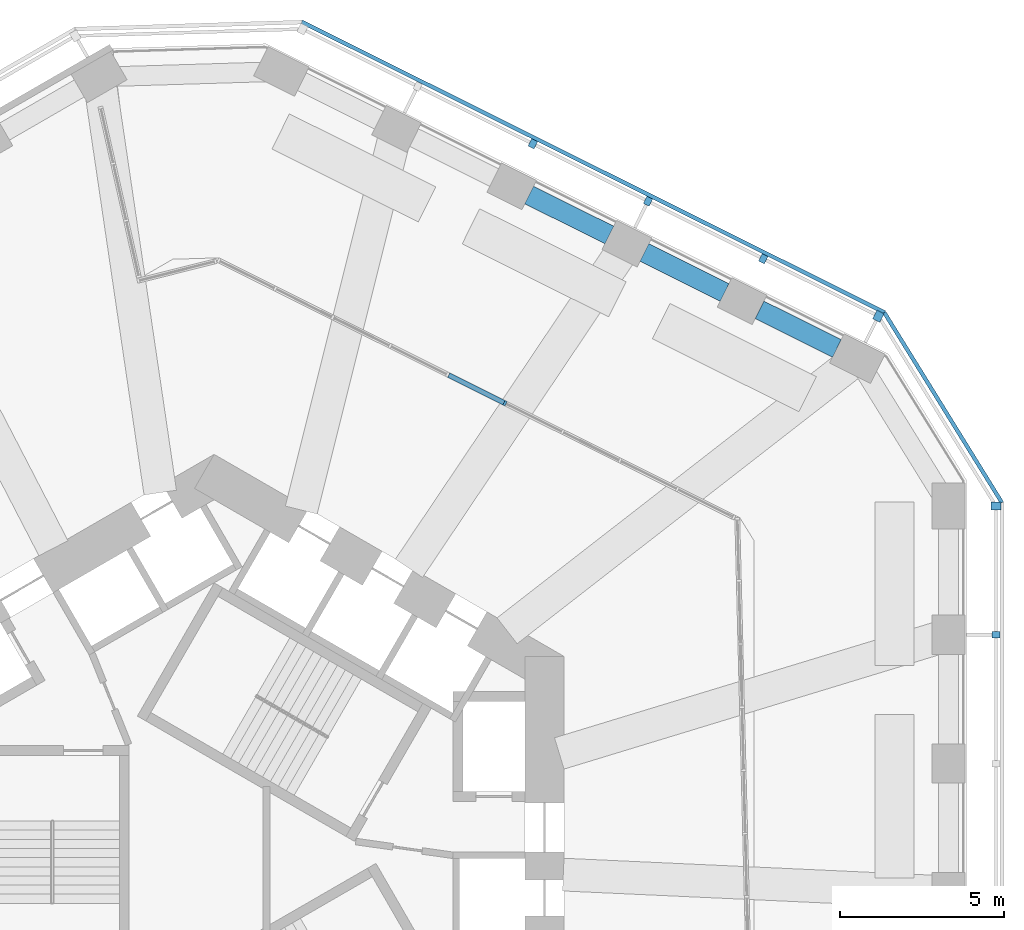
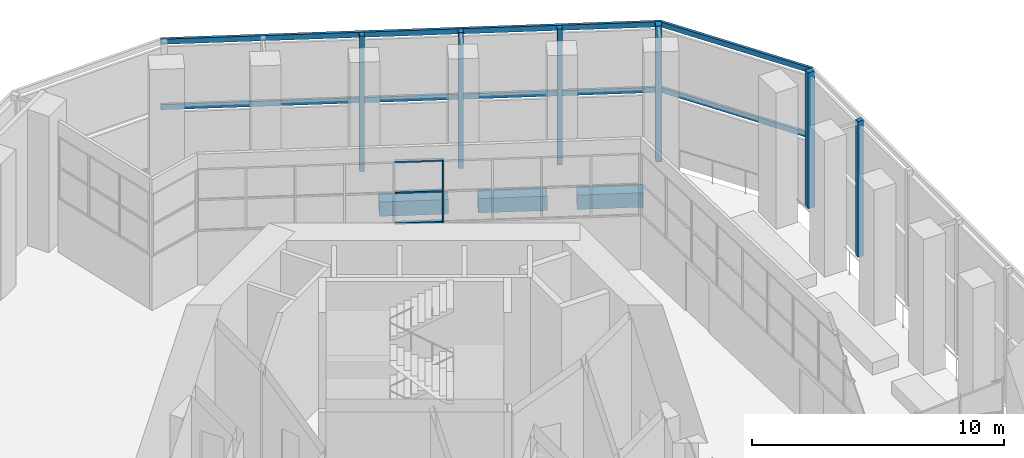
# One storey, part 5 of 17: 14 members, 3 beams, 4 elements without a shape of their own.
"""IFC4 building model written with IfcOpenShell, lengths in metres."""

from ifc_helpers import new_model, si_unit, direction, frame, origin, origin_2d, place, context, subcontext, project, spatial, rectangle, extrude, material, material_profile, profile_set, type_object, element, aggregate, save


model = new_model("IFC4")

# Units and contexts
model_context = context("Model", 3, precision=1e-05, world=origin(), true_north=direction((0.0, 1.0)))
body_context = subcontext(model_context, "Body", "Model", "MODEL_VIEW")
ifc_project = project(units=[si_unit("LENGTHUNIT", "METRE"), si_unit("AREAUNIT", "SQUARE_METRE"), si_unit("VOLUMEUNIT", "CUBIC_METRE"), si_unit("PLANEANGLEUNIT", "RADIAN"), si_unit("MASSUNIT", "GRAM", prefix="KILO")], contexts=[model_context])

# Site, building, storey
site_placement = place(None, origin())
site = spatial("IfcSite", under=ifc_project, at=site_placement, CompositionType="ELEMENT")
building_placement = place(site_placement, origin())
building = spatial("IfcBuilding", under=site, at=building_placement, Name="Vanh Sen Convention Tower", CompositionType="ELEMENT")
storey_placement = place(building_placement, frame((0.0, 0.0, 77.0)))
storey = spatial("IfcBuildingStorey", under=building, at=storey_placement, Name="L17", CompositionType="ELEMENT", Elevation=77.0)

# Curtain wall, members
ifc_material_1 = material(Name="Aluminium structural glazing system", Category="aluminium")
curtain_wall_type_1 = type_object("IfcCurtainWallType", Name="Sky garden structural glazing", PredefinedType="NOTDEFINED", material=ifc_material_1)
curtain_wall_1_placement = place(storey_placement, origin())
curtain_wall_1 = element("IfcCurtainWall", 1, at=curtain_wall_1_placement, inside=storey, type_object=curtain_wall_type_1, Name="Winter garden glazing 3 L17", PredefinedType="NOTDEFINED")
ifc_material_2 = material(Name="Aluminium mullion", Category="aluminium")
ifc_material_profile_1 = material_profile(ifc_material_2, rectangle(XDim=0.14990234375, YDim=0.070068359375, at=origin_2d()), Name="Garden glazing mullion 70 x 150")
ifc_profile_set_1 = profile_set([ifc_material_profile_1], Name="Aluminium mullion")
member_type_1 = type_object("IfcMemberType", Name="Garden glazing mullion 70 x 150", PredefinedType="MULLION", material=ifc_profile_set_1)
member_1_placement = place(storey_placement, frame((8.89208984375, 13.919921875, 2.60009765625), z_axis=(0.0, 0.0, 1.0), x_axis=(0.446203047714, 0.894931751706, 0.0)))
member_1 = element("IfcMember", 2, at=member_1_placement, type_object=member_type_1, Name="CW5 mullion 6", PredefinedType="MULLION", context=body_context, shape_type="SweptSolid", body=[
    extrude(rectangle(XDim=0.14990234375, YDim=0.070068359375, at=origin_2d()), origin(), (0.0, 0.0, 1.0), 3.0498046875),
])
ifc_material_3 = material(Name="Aluminium transom", Category="aluminium")
ifc_material_profile_2 = material_profile(ifc_material_3, rectangle(XDim=0.14990234375, YDim=0.070068359375, at=origin_2d()), Name="Garden glazing transom 150 x 70")
ifc_profile_set_2 = profile_set([ifc_material_profile_2], Name="Aluminium transom")
member_type_2 = type_object("IfcMemberType", Name="Garden glazing transom 150 x 70", PredefinedType="USERDEFINED", material=ifc_profile_set_2)
member_2_placement = place(storey_placement, frame((7.16748046875, 14.77978515625, 2.635009765625), z_axis=(0.894942709965, -0.446181068492, 0.0), x_axis=(0.446181068492, 0.894942709965, 0.0)))
member_2 = element("IfcMember", 3, at=member_2_placement, type_object=member_type_2, Name="CW5 transom 5.1", ObjectType="TRANSOM", PredefinedType="USERDEFINED", context=body_context, shape_type="SweptSolid", body=[
    extrude(rectangle(XDim=0.14990234375, YDim=0.070068359375, at=origin_2d()), origin(), (0.0, 0.0, 1.0), 1.89208984375),
])
member_3_placement = place(storey_placement, frame((7.16748046875, 14.77978515625, 4.125), z_axis=(0.894942709965, -0.446181068492, 0.0), x_axis=(0.446181068492, 0.894942709965, 0.0)))
member_3 = element("IfcMember", 4, at=member_3_placement, type_object=member_type_2, Name="CW5 transom 5.2", ObjectType="TRANSOM", PredefinedType="USERDEFINED", context=body_context, shape_type="SweptSolid", body=[
    extrude(rectangle(XDim=0.14990234375, YDim=0.070068359375, at=origin_2d()), origin(), (0.0, 0.0, 1.0), 1.89208984375),
])
member_4_placement = place(storey_placement, frame((7.16748046875, 14.77978515625, 5.614990234375), z_axis=(0.894942709965, -0.446181068492, 0.0), x_axis=(0.446181068492, 0.894942709965, 0.0)))
member_4 = element("IfcMember", 5, at=member_4_placement, type_object=member_type_2, Name="CW5 transom 5.3", ObjectType="TRANSOM", PredefinedType="USERDEFINED", context=body_context, shape_type="SweptSolid", body=[
    extrude(rectangle(XDim=0.14990234375, YDim=0.070068359375, at=origin_2d()), origin(), (0.0, 0.0, 1.0), 1.89208984375),
])
aggregate(curtain_wall_1, [member_1, member_2, member_3, member_4])

# Curtain wall, member
ifc_material_4 = material(Name="Concrete C50/60", Category="concrete")
curtain_wall_type_2 = type_object("IfcCurtainWallType", Name="Outer skin hotel zone", PredefinedType="NOTDEFINED", material=ifc_material_4)
curtain_wall_2_placement = place(storey_placement, origin())
curtain_wall_2 = element("IfcCurtainWall", 6, at=curtain_wall_2_placement, inside=storey, type_object=curtain_wall_type_2, Name="OUTER SKIN E L17", PredefinedType="NOTDEFINED")
ifc_material_profile_3 = material_profile(ifc_material_4, rectangle(XDim=0.25, YDim=0.300048828125, at=origin_2d()), Name="Outer skin precast corner fin 250 x 300")
ifc_profile_set_3 = profile_set([ifc_material_profile_3], Name="Concrete C50/60")
member_type_3 = type_object("IfcMemberType", Name="Outer skin precast corner fin 250 x 300", PredefinedType="MULLION", material=ifc_profile_set_3)
member_5_placement = place(storey_placement, frame((23.89990234375, 10.773681640625, 0.0), z_axis=(0.0, 0.0, 1.0), x_axis=(0.0, 1.0, 0.0)))
member_5 = element("IfcMember", 7, at=member_5_placement, type_object=member_type_3, Name="OUTER SKIN CORNER FIN 6 E L17", PredefinedType="MULLION", context=body_context, shape_type="SweptSolid", body=[
    extrude(rectangle(XDim=0.25, YDim=0.300048828125, at=origin_2d()), origin(), (0.0, 0.0, 1.0), 6.60009765625),
])

curtain_wall_3_placement = place(storey_placement, origin())
curtain_wall_3 = element("IfcCurtainWall", 8, at=curtain_wall_3_placement, inside=storey, type_object=curtain_wall_type_2, Name="OUTER SKIN NE L17", PredefinedType="NOTDEFINED")
member_6_placement = place(storey_placement, frame((20.305908203125, 16.581787109375, 0.0), z_axis=(0.0, 0.0, 1.0), x_axis=(-0.894934361602, 0.44619781311, 0.0)))
member_6 = element("IfcMember", 9, at=member_6_placement, type_object=member_type_3, Name="OUTER SKIN CORNER FIN 1 NE L17", PredefinedType="MULLION", context=body_context, shape_type="SweptSolid", body=[
    extrude(rectangle(XDim=0.25, YDim=0.300048828125, at=origin_2d()), origin(), (0.0, 0.0, 1.0), 6.60009765625),
])

# Member
ifc_material_profile_4 = material_profile(ifc_material_4, rectangle(XDim=0.199951171875, YDim=0.25, at=origin_2d()), Name="Outer skin precast fin 200 x 250")
ifc_profile_set_4 = profile_set([ifc_material_profile_4], Name="Concrete C50/60")
member_type_4 = type_object("IfcMemberType", Name="Outer skin precast fin 200 x 250", PredefinedType="MULLION", material=ifc_profile_set_4)
member_7_placement = place(storey_placement, frame((23.89990234375, 6.839111328125, 0.0), z_axis=(0.0, 0.0, 1.0), x_axis=(0.0, 1.0, 0.0)))
member_7 = element("IfcMember", 10, at=member_7_placement, type_object=member_type_4, Name="OUTER SKIN fin 5 E L17", PredefinedType="MULLION", context=body_context, shape_type="SweptSolid", body=[
    extrude(rectangle(XDim=0.199951171875, YDim=0.25, at=origin_2d()), origin(), (0.0, 0.0, 1.0), 6.60009765625),
])

aggregate(curtain_wall_2, [member_7, member_5])

member_8_placement = place(storey_placement, frame((16.78466796875, 18.33740234375, 0.0), z_axis=(0.0, 0.0, 1.0), x_axis=(-0.894934361602, 0.44619781311, 0.0)))
member_8 = element("IfcMember", 11, at=member_8_placement, type_object=member_type_4, Name="OUTER SKIN fin 2 NE L17", PredefinedType="MULLION", context=body_context, shape_type="SweptSolid", body=[
    extrude(rectangle(XDim=0.199951171875, YDim=0.25, at=origin_2d()), origin(), (0.0, 0.0, 1.0), 6.60009765625),
])

member_9_placement = place(storey_placement, frame((13.263427734375, 20.093017578125, 0.0), z_axis=(0.0, 0.0, 1.0), x_axis=(-0.894934361602, 0.44619781311, 0.0)))
member_9 = element("IfcMember", 12, at=member_9_placement, type_object=member_type_4, Name="OUTER SKIN fin 3 NE L17", PredefinedType="MULLION", context=body_context, shape_type="SweptSolid", body=[
    extrude(rectangle(XDim=0.199951171875, YDim=0.25, at=origin_2d()), origin(), (0.0, 0.0, 1.0), 6.60009765625),
])

member_10_placement = place(storey_placement, frame((9.7421875, 21.8486328125, 0.0), z_axis=(0.0, 0.0, 1.0), x_axis=(-0.894934361602, 0.44619781311, 0.0)))
member_10 = element("IfcMember", 13, at=member_10_placement, type_object=member_type_4, Name="OUTER SKIN fin 4 NE L17", PredefinedType="MULLION", context=body_context, shape_type="SweptSolid", body=[
    extrude(rectangle(XDim=0.199951171875, YDim=0.25, at=origin_2d()), origin(), (0.0, 0.0, 1.0), 6.60009765625),
])

# Curtain wall, members
curtain_wall_4_placement = place(storey_placement, origin())
curtain_wall_4 = element("IfcCurtainWall", 14, at=curtain_wall_4_placement, inside=storey, type_object=curtain_wall_type_2, Name="OUTER SKIN CH1 L17", PredefinedType="NOTDEFINED")
ifc_material_profile_5 = material_profile(ifc_material_4, rectangle(XDim=0.1201171875, YDim=0.25, at=origin_2d()), Name="Outer skin precast spandrel band 250 x 120")
ifc_profile_set_5 = profile_set([ifc_material_profile_5], Name="Concrete C50/60")
member_type_5 = type_object("IfcMemberType", Name="Outer skin precast spandrel band 250 x 120", PredefinedType="USERDEFINED", material=ifc_profile_set_5)
member_11_placement = place(storey_placement, frame((24.07861328125, 10.88427734375, 6.47509765625), z_axis=(-0.526195864379, 0.850363400148, 0.0), x_axis=(-0.850363400148, -0.526195864379, 0.0)))
member_11 = element("IfcMember", 15, at=member_11_placement, type_object=member_type_5, Name="OUTER SKIN spandrel band CH1 L17", ObjectType="TRANSOM", PredefinedType="USERDEFINED", context=body_context, shape_type="SweptSolid", body=[
    extrude(rectangle(XDim=0.1201171875, YDim=0.25, at=origin_2d()), origin(), (0.0, 0.0, 1.0), 6.830078125),
])
member_12_placement = place(storey_placement, frame((24.07861328125, 10.88427734375, 3.300048828125), z_axis=(-0.526195864379, 0.850363400148, 0.0), x_axis=(-0.850363400148, -0.526195864379, 0.0)))
member_12 = element("IfcMember", 16, at=member_12_placement, type_object=member_type_5, Name="OUTER SKIN spandrel band CH1 L17 mid", ObjectType="TRANSOM", PredefinedType="USERDEFINED", context=body_context, shape_type="SweptSolid", body=[
    extrude(rectangle(XDim=0.1201171875, YDim=0.25, at=origin_2d()), origin(), (0.0, 0.0, 1.0), 6.830078125),
])
aggregate(curtain_wall_4, [member_11, member_12])

# Member
member_13_placement = place(storey_placement, frame((20.500244140625, 16.69140625, 6.47509765625), z_axis=(-0.894931498167, 0.446203556227, 0.0), x_axis=(-0.446203556227, -0.894931498167, 0.0)))
member_13 = element("IfcMember", 17, at=member_13_placement, type_object=member_type_5, Name="OUTER SKIN spandrel band NE L17", ObjectType="TRANSOM", PredefinedType="USERDEFINED", context=body_context, shape_type="SweptSolid", body=[
    extrude(rectangle(XDim=0.1201171875, YDim=0.25, at=origin_2d()), origin(), (0.0, 0.0, 1.0), 19.9228515625),
])

member_14_placement = place(storey_placement, frame((20.500244140625, 16.69140625, 3.300048828125), z_axis=(-0.894931498167, 0.446203556227, 0.0), x_axis=(-0.446203556227, -0.894931498167, 0.0)))
member_14 = element("IfcMember", 18, at=member_14_placement, type_object=member_type_5, Name="OUTER SKIN spandrel band NE L17 mid", ObjectType="TRANSOM", PredefinedType="USERDEFINED", context=body_context, shape_type="SweptSolid", body=[
    extrude(rectangle(XDim=0.1201171875, YDim=0.25, at=origin_2d()), origin(), (0.0, 0.0, 1.0), 19.9228515625),
])

aggregate(curtain_wall_3, [member_6, member_8, member_9, member_10, member_13, member_14])

# Beams
ifc_material_5 = material(Name="Concrete C50/60", Category="concrete")
ifc_material_profile_6 = material_profile(ifc_material_5, rectangle(XDim=0.60009765625, YDim=0.699951171875, at=origin_2d()), Name="RC 600X700")
ifc_profile_set_6 = profile_set([ifc_material_profile_6], Name="Concrete C50/60")
beam_type = type_object("IfcBeamType", Name="Spandrel beam 600 x 700", PredefinedType="SPANDREL", material=ifc_profile_set_6)
beam_placement = place(storey_placement, frame((19.036865234375, 15.59423828125, -0.699951171875), z_axis=(-0.894943581597, 0.446179320183, 0.0), x_axis=(-0.446179320183, -0.894943581597, 0.0)))
element("IfcBeam", 19, at=beam_placement, inside=storey, type_object=beam_type, Name="Spandrel beam 07 L17", PredefinedType="SPANDREL", context=body_context, shape_type="SweptSolid", body=[
    extrude(rectangle(XDim=0.60009765625, YDim=0.699951171875, at=origin_2d()), origin(), (0.0, 0.0, 1.0), 2.64453125),
])
for number, where, z_axis, x_axis, name in (
    (20, (15.605224609375, 17.30517578125, -0.699951171875), (-0.894942515368, 0.44618145881, 0.0), (-0.44618145881, -0.894942515368, 0.0), "Spandrel beam 08 L17"),
    (21, (12.083984375, 19.060791015625, -0.699951171875), (-0.894942515368, 0.44618145881, 0.0), (-0.44618145881, -0.894942515368, 0.0), "Spandrel beam 09 L17"),
):
    element("IfcBeam", number, at=place(storey_placement, frame(where, z_axis=z_axis, x_axis=x_axis)), inside=storey, type_object=beam_type, Name=name, PredefinedType="SPANDREL", context=body_context, shape_type="SweptSolid", body=[
        extrude(rectangle(XDim=0.60009765625, YDim=0.699951171875, at=origin_2d()), origin(), (0.0, 0.0, 1.0), 2.74462890625),
    ])

save(model, "model.ifc")
